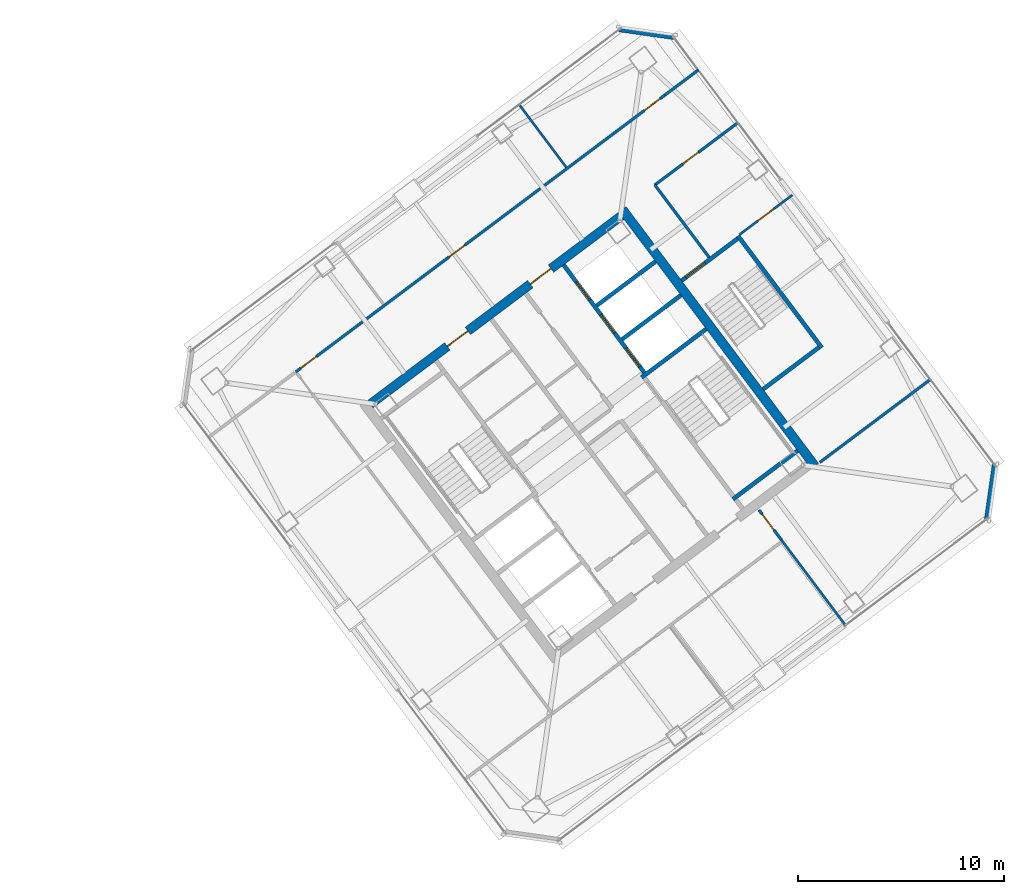
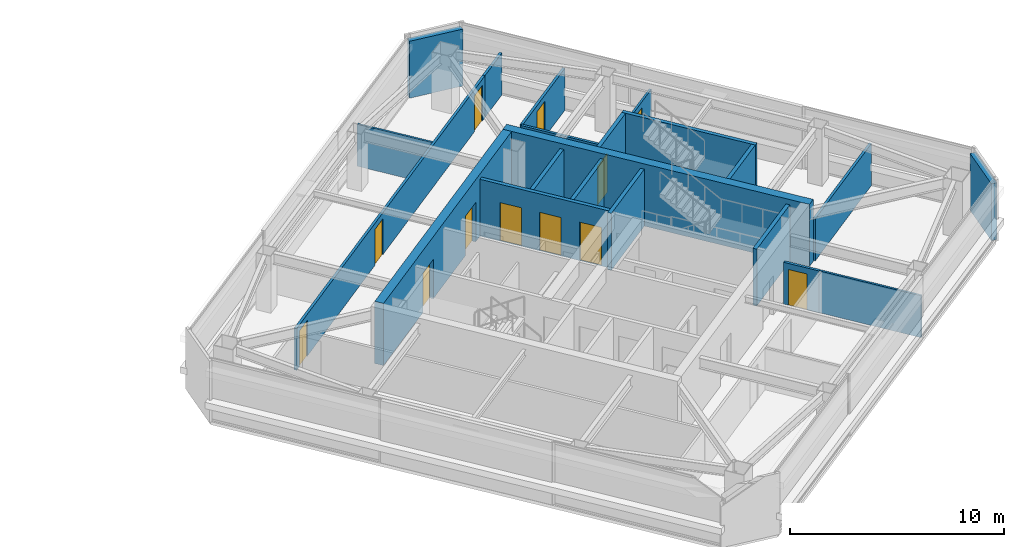
# One storey, part 32 of 39: 21 walls, 12 doors, 12 openings.
"""IFC4 building model written with IfcOpenShell, lengths in metres."""

from ifc_helpers import new_model, si_unit, direction, frame, frame_2d, origin, place, context, subcontext, project, spatial, rectangle, extrude, material, layer, layer_set, type_object, element, fill, save


model = new_model("IFC4")

# Units and contexts
model_context = context("Model", 3, precision=1e-05, world=origin(), true_north=direction((0.0, 1.0)))
body_context = subcontext(model_context, "Body", "Model", "MODEL_VIEW")
ifc_project = project(units=[si_unit("LENGTHUNIT", "METRE"), si_unit("AREAUNIT", "SQUARE_METRE"), si_unit("VOLUMEUNIT", "CUBIC_METRE"), si_unit("PLANEANGLEUNIT", "RADIAN"), si_unit("MASSUNIT", "GRAM", prefix="KILO")], contexts=[model_context])

# Site, building, storey
site_placement = place(None, origin())
site = spatial("IfcSite", under=ifc_project, at=site_placement, CompositionType="ELEMENT")
building_placement = place(site_placement, origin())
building = spatial("IfcBuilding", under=site, at=building_placement, Name="Tashvorn Skyway Center", CompositionType="ELEMENT")
storey_placement = place(building_placement, frame((0.0, 0.0, 243.25)))
storey = spatial("IfcBuildingStorey", under=building, at=storey_placement, Name="L66", CompositionType="ELEMENT", Elevation=243.25)

# Wall
ifc_material_1 = material(Name="Concrete C50/60", Category="concrete")
ifc_layer_1 = layer(ifc_material_1, 0.449951171875)
ifc_layer_set_1 = layer_set([ifc_layer_1], Name="Concrete C50/60")
wall_type_1 = type_object("IfcWallType", Name="WALL-CORE-450", PredefinedType="SHEAR", material=ifc_layer_set_1)
wall_1_placement = place(storey_placement, frame((115.60400390625, 42.952880859375, 0.0), z_axis=(0.0, 0.0, 1.0), x_axis=(0.600005007985, -0.799996243986, 0.0)))
element("IfcWall", 1, at=wall_1_placement, inside=storey, type_object=wall_type_1, Name="Tower 2 L66 East Core Shear Wall", PredefinedType="SHEAR", context=body_context, shape_type="SweptSolid", body=[
    extrude(rectangle(XDim=15.60009765625, YDim=0.449951171875, at=frame_2d((7.800048828125, 0.0))), origin(), (0.0, 0.0, 1.0), 3.550048828125),
])

# Wall, openings, doors
wall_2_placement = place(storey_placement, frame((103.35107421875, 33.48193359375, 0.0), z_axis=(0.0, 0.0, 1.0), x_axis=(0.8, 0.6, 0.0)))
wall_2 = element("IfcWall", 2, at=wall_2_placement, inside=storey, type_object=wall_type_1, Name="Tower 2 L66 North Core Shear Wall", PredefinedType="SHEAR", context=body_context, shape_type="SweptSolid", body=[
    extrude(rectangle(XDim=15.260009765625, YDim=0.449951171875, at=frame_2d((7.6298828125, 0.0))), origin(), (0.0, 0.0, 1.0), 3.550048828125),
])
opening_1_placement = place(wall_2_placement, frame((4.679931640625, 0.0, 0.0)))
opening_1 = element("IfcOpeningElement", 3, at=opening_1_placement, cuts=wall_2, Name="Opening D-FFL-1250", PredefinedType="OPENING", context=body_context, shape_type="SweptSolid", body=[
    extrude(rectangle(XDim=1.25, YDim=2.25, at=frame_2d((0.625, 1.125))), frame((0.0, 0.23486328125, 0.0), z_axis=(0.0, -1.0, 0.0), x_axis=(1.0, 0.0, 0.0)), (0.0, 0.0, 1.0), 0.469970703125),
])
opening_2_placement = place(wall_2_placement, frame((9.72998046875, 0.0, 0.0)))
opening_2 = element("IfcOpeningElement", 4, at=opening_2_placement, cuts=wall_2, Name="Opening D-FFL-1250", PredefinedType="OPENING", context=body_context, shape_type="SweptSolid", body=[
    extrude(rectangle(XDim=1.25, YDim=2.25, at=frame_2d((0.625, 1.125))), frame((0.0, 0.23486328125, 0.0), z_axis=(0.0, -1.0, 0.0), x_axis=(1.0, 0.0, 0.0)), (0.0, 0.0, 1.0), 0.469970703125),
])
ifc_material_2 = material(Name="Hollow galvanized steel fire door assembly", Category="steel")
door_type_1 = type_object("IfcDoorType", Name="DOOR-FFL-1250", OperationType="NOTDEFINED", PredefinedType="DOOR", material=ifc_material_2)
door_1_placement = place(opening_1_placement, origin())
door_1 = element("IfcDoor", 5, at=door_1_placement, inside=storey, type_object=door_type_1, Name="Tower 2 L66 Core North Service Lobby Door", OperationType="SINGLE_SWING_LEFT", OverallHeight=2.25, OverallWidth=1.25, PredefinedType="DOOR", context=body_context, shape_type="SweptSolid", body=[
    extrude(rectangle(XDim=1.25, YDim=2.25, at=frame_2d((0.625, 1.125))), frame((0.0, 0.02490234375, 0.0), z_axis=(0.0, -1.0, 0.0), x_axis=(1.0, 0.0, 0.0)), (0.0, 0.0, 1.0), 0.050048828125),
])
fill(opening_1, door_1)
door_2_placement = place(opening_2_placement, origin())
door_2 = element("IfcDoor", 6, at=door_2_placement, inside=storey, type_object=door_type_1, Name="Tower 2 L66 Core North Lift Lobby Door", OperationType="SINGLE_SWING_RIGHT", OverallHeight=2.25, OverallWidth=1.25, PredefinedType="DOOR", context=body_context, shape_type="SweptSolid", body=[
    extrude(rectangle(XDim=1.25, YDim=2.25, at=frame_2d((0.625, 1.125))), frame((0.0, 0.02490234375, 0.0), z_axis=(0.0, -1.0, 0.0), x_axis=(1.0, 0.0, 0.0)), (0.0, 0.0, 1.0), 0.050048828125),
])
fill(opening_2, door_2)

# Walls
ifc_material_3 = material(Name="Precast concrete C40/50", Category="concrete")
ifc_layer_2 = layer(ifc_material_3, 0.280029296875)
ifc_layer_set_2 = layer_set([ifc_layer_2], Name="Precast concrete C40/50")
wall_type_2 = type_object("IfcWallType", Name="WALL-EXT-280", PredefinedType="SOLIDWALL", material=ifc_layer_set_2)
for number, where, z_axis, x_axis, name in (
    (7, (115.4599609375, 51.719970703125, 0.0), (0.0, 0.0, 1.0), (0.989956760759, -0.141370477216, 0.0), "Tower 2 L66 NE Precast Chamfer Wall"),
    (8, (133.719970703125, 30.5400390625, 0.0), (0.0, 0.0, 1.0), (-0.141370477216, -0.989956760759, 0.0), "Tower 2 L66 SE Precast Chamfer Wall"),
):
    element("IfcWall", number, at=place(storey_placement, frame(where, z_axis=z_axis, x_axis=x_axis)), inside=storey, type_object=wall_type_2, Name=name, PredefinedType="SOLIDWALL", context=body_context, shape_type="SweptSolid", body=[
        extrude(rectangle(XDim=2.687255859375, YDim=0.280029296875, at=frame_2d((1.34375, 0.0))), origin(), (0.0, 0.0, 1.0), 3.25),
    ])
ifc_material_4 = material(Name="Gypsum board on cold-formed steel stud framing", Category="steel")
ifc_layer_3 = layer(ifc_material_4, 0.110107421875)
ifc_layer_set_3 = layer_set([ifc_layer_3], Name="Gypsum board on cold-formed steel stud framing")
wall_type_3 = type_object("IfcWallType", Name="WALL-PART-110", PredefinedType="PARTITIONING", material=ifc_layer_set_3)
wall_3_placement = place(storey_placement, frame((112.8720703125, 45.00390625, 0.0), z_axis=(0.0, 0.0, 1.0), x_axis=(-0.6, 0.8, 0.0)))
element("IfcWall", 9, at=wall_3_placement, inside=storey, type_object=wall_type_3, Name="Tower 2 L66 North Suite Partition 2", PredefinedType="PARTITIONING", context=body_context, shape_type="SweptSolid", body=[
    extrude(rectangle(XDim=3.800048828125, YDim=0.110107421875, at=frame_2d((1.89990234375, 0.0))), origin(), (0.0, 0.0, 1.0), 2.39306640625),
])
wall_4_placement = place(storey_placement, frame((126.447998046875, 22.736083984375, 0.0), z_axis=(0.0, 0.0, 1.0), x_axis=(-0.600015053192, 0.799988709885, 0.0)))
element("IfcWall", 10, at=wall_4_placement, inside=storey, type_object=wall_type_3, Name="Tower 2 L66 South-East Suite Wall", PredefinedType="PARTITIONING", context=body_context, shape_type="SweptSolid", body=[
    extrude(rectangle(XDim=5.18994140625, YDim=0.110107421875, at=frame_2d((2.594970703125, 0.0))), origin(), (0.0, 0.0, 1.0), 2.39306640625),
])

# Wall, opening, door
wall_5_placement = place(storey_placement, frame((123.864013671875, 43.64794921875, 0.0), z_axis=(0.0, 0.0, 1.0), x_axis=(-0.800018310174, -0.599975585658, 0.0)))
wall_5 = element("IfcWall", 11, at=wall_5_placement, inside=storey, type_object=wall_type_3, Name="Tower 2 L66 East Suite Partition 1", PredefinedType="PARTITIONING", context=body_context, shape_type="SweptSolid", body=[
    extrude(rectangle(XDim=3.199951171875, YDim=0.110107421875, at=frame_2d((1.60009765625, 0.0))), origin(), (0.0, 0.0, 1.0), 2.39306640625),
])
opening_3_placement = place(wall_5_placement, frame((1.125, 0.0, 0.0)))
opening_3 = element("IfcOpeningElement", 12, at=opening_3_placement, cuts=wall_5, Name="Opening D-INT-950", PredefinedType="OPENING", context=body_context, shape_type="SweptSolid", body=[
    extrude(rectangle(XDim=0.949951171875, YDim=2.050048828125, at=frame_2d((0.47509765625, 1.02490234375))), frame((0.0, 0.06494140625, 0.0), z_axis=(0.0, -1.0, 0.0), x_axis=(1.0, 0.0, 0.0)), (0.0, 0.0, 1.0), 0.130126953125),
])
ifc_material_5 = material(Name="Solid-core architectural oak veneer door")
door_type_2 = type_object("IfcDoorType", Name="DOOR-INT-950", OperationType="NOTDEFINED", PredefinedType="DOOR", material=ifc_material_5)
door_3_placement = place(opening_3_placement, origin())
door_3 = element("IfcDoor", 13, at=door_3_placement, inside=storey, type_object=door_type_2, Name="Tower 2 L66 Boardroom Door", OperationType="SINGLE_SWING_LEFT", OverallHeight=2.050048828125, OverallWidth=0.949951171875, PredefinedType="DOOR", context=body_context, shape_type="SweptSolid", body=[
    extrude(rectangle(XDim=0.949951171875, YDim=2.050048828125, at=frame_2d((0.47509765625, 1.02490234375))), frame((0.0, 0.02490234375, 0.0), z_axis=(0.0, -1.0, 0.0), x_axis=(1.0, 0.0, 0.0)), (0.0, 0.0, 1.0), 0.050048828125),
])
fill(opening_3, door_3)

# Wall
ifc_layer_4 = layer(ifc_material_4, 0.135009765625)
ifc_layer_set_4 = layer_set([ifc_layer_4], Name="Gypsum board on cold-formed steel stud framing")
wall_type_4 = type_object("IfcWallType", Name="WALL-PART-135", PredefinedType="PARTITIONING", material=ifc_layer_set_4)
wall_6_placement = place(storey_placement, frame((119.823974609375, 40.617919921875, 0.0), z_axis=(0.0, 0.0, 1.0), x_axis=(-0.599982243973, 0.800013316712, 0.0)))
element("IfcWall", 14, at=wall_6_placement, inside=storey, type_object=wall_type_4, Name="Tower 2 L66 Stair 3 Access Corridor Wall", PredefinedType="PARTITIONING", context=body_context, shape_type="SweptSolid", body=[
    extrude(rectangle(XDim=4.39990234375, YDim=0.135009765625, at=frame_2d((2.199951171875, 0.0))), origin(), (0.0, 0.0, 1.0), 2.39306640625),
])

# Wall, openings, doors
wall_7_placement = place(storey_placement, frame((99.736083984375, 35.052001953125, 0.0), z_axis=(0.0, 0.0, 1.0), x_axis=(0.799997387685, 0.600003483071, 0.0)))
wall_7 = element("IfcWall", 15, at=wall_7_placement, inside=storey, type_object=wall_type_4, Name="Tower 2 L66 North Suite Wall", PredefinedType="PARTITIONING", context=body_context, shape_type="SweptSolid", body=[
    extrude(rectangle(XDim=22.429931640625, YDim=0.135009765625, at=frame_2d((11.21484375, 0.0))), origin(), (0.0, 0.0, 1.0), 2.39306640625),
])
opening_4_placement = place(wall_7_placement, frame((0.300048828125, 0.0, 0.0)))
opening_4 = element("IfcOpeningElement", 16, at=opening_4_placement, cuts=wall_7, Name="Opening D-INT-950", PredefinedType="OPENING", context=body_context, shape_type="SweptSolid", body=[
    extrude(rectangle(XDim=0.949951171875, YDim=2.050048828125, at=frame_2d((0.47509765625, 1.02490234375))), frame((0.0, 0.077392578125, 0.0), z_axis=(0.0, -1.0, 0.0), x_axis=(1.0, 0.0, 0.0)), (0.0, 0.0, 1.0), 0.155029296875),
])
opening_5_placement = place(wall_7_placement, frame((9.31298828125, 0.0, 0.0)))
opening_5 = element("IfcOpeningElement", 17, at=opening_5_placement, cuts=wall_7, Name="Opening D-INT-950", PredefinedType="OPENING", context=body_context, shape_type="SweptSolid", body=[
    extrude(rectangle(XDim=0.949951171875, YDim=2.050048828125, at=frame_2d((0.47509765625, 1.02490234375))), frame((0.0, 0.077392578125, 0.0), z_axis=(0.0, -1.0, 0.0), x_axis=(1.0, 0.0, 0.0)), (0.0, 0.0, 1.0), 0.155029296875),
])
opening_6_placement = place(wall_7_placement, frame((21.179931640625, 0.0, 0.0)))
opening_6 = element("IfcOpeningElement", 18, at=opening_6_placement, cuts=wall_7, Name="Opening D-INT-950", PredefinedType="OPENING", context=body_context, shape_type="SweptSolid", body=[
    extrude(rectangle(XDim=0.949951171875, YDim=2.050048828125, at=frame_2d((0.47509765625, 1.02490234375))), frame((0.0, 0.077392578125, 0.0), z_axis=(0.0, -1.0, 0.0), x_axis=(1.0, 0.0, 0.0)), (0.0, 0.0, 1.0), 0.155029296875),
])
door_4_placement = place(opening_4_placement, origin())
door_4 = element("IfcDoor", 19, at=door_4_placement, inside=storey, type_object=door_type_2, Name="Tower 2 L66 Operations Control Room Door", OperationType="SINGLE_SWING_RIGHT", OverallHeight=2.050048828125, OverallWidth=0.949951171875, PredefinedType="DOOR", context=body_context, shape_type="SweptSolid", body=[
    extrude(rectangle(XDim=0.949951171875, YDim=2.050048828125, at=frame_2d((0.47509765625, 1.02490234375))), frame((0.0, 0.02490234375, 0.0), z_axis=(0.0, -1.0, 0.0), x_axis=(1.0, 0.0, 0.0)), (0.0, 0.0, 1.0), 0.050048828125),
])
fill(opening_4, door_4)
door_5_placement = place(opening_5_placement, origin())
door_5 = element("IfcDoor", 20, at=door_5_placement, inside=storey, type_object=door_type_2, Name="Tower 2 L66 Operations Control Room Door", OperationType="SINGLE_SWING_LEFT", OverallHeight=2.050048828125, OverallWidth=0.949951171875, PredefinedType="DOOR", context=body_context, shape_type="SweptSolid", body=[
    extrude(rectangle(XDim=0.949951171875, YDim=2.050048828125, at=frame_2d((0.47509765625, 1.02490234375))), frame((0.0, 0.02490234375, 0.0), z_axis=(0.0, -1.0, 0.0), x_axis=(1.0, 0.0, 0.0)), (0.0, 0.0, 1.0), 0.050048828125),
])
fill(opening_5, door_5)
door_6_placement = place(opening_6_placement, origin())
door_6 = element("IfcDoor", 21, at=door_6_placement, inside=storey, type_object=door_type_2, Name="Tower 2 L66 Security Control Room Door", OperationType="SINGLE_SWING_RIGHT", OverallHeight=2.050048828125, OverallWidth=0.949951171875, PredefinedType="DOOR", context=body_context, shape_type="SweptSolid", body=[
    extrude(rectangle(XDim=0.949951171875, YDim=2.050048828125, at=frame_2d((0.47509765625, 1.02490234375))), frame((0.0, 0.02490234375, 0.0), z_axis=(0.0, -1.0, 0.0), x_axis=(1.0, 0.0, 0.0)), (0.0, 0.0, 1.0), 0.050048828125),
])
fill(opening_6, door_6)

# Wall
wall_8_placement = place(storey_placement, frame((117.679931640625, 48.510009765625, 0.0), z_axis=(0.0, 0.0, 1.0), x_axis=(0.8, 0.6, 0.0)))
element("IfcWall", 22, at=wall_8_placement, inside=storey, type_object=wall_type_4, Name="Tower 2 L66 North-East Suite South Wall", PredefinedType="PARTITIONING", context=body_context, shape_type="SweptSolid", body=[
    extrude(rectangle(XDim=2.030029296875, YDim=0.135009765625, at=frame_2d((1.01513671875, 0.0))), origin(), (0.0, 0.0, 1.0), 2.39306640625),
])

# Wall, opening, door
wall_9_placement = place(storey_placement, frame((122.248046875, 28.3359375, 0.0), z_axis=(0.0, 0.0, 1.0), x_axis=(0.599978417824, -0.800016186177, 0.0)))
wall_9 = element("IfcWall", 23, at=wall_9_placement, inside=storey, type_object=wall_type_4, Name="Tower 2 L66 South Gallery End Wall", PredefinedType="PARTITIONING", context=body_context, shape_type="SweptSolid", body=[
    extrude(rectangle(XDim=1.81005859375, YDim=0.135009765625, at=frame_2d((0.905029296875, 0.0))), origin(), (0.0, 0.0, 1.0), 2.39306640625),
])
opening_7_placement = place(wall_9_placement, frame((0.25, 0.0, 0.0)))
opening_7 = element("IfcOpeningElement", 24, at=opening_7_placement, cuts=wall_9, Name="Opening D-INT-950", PredefinedType="OPENING", context=body_context, shape_type="SweptSolid", body=[
    extrude(rectangle(XDim=0.949951171875, YDim=2.050048828125, at=frame_2d((0.47509765625, 1.02490234375))), frame((0.0, 0.077392578125, 0.0), z_axis=(0.0, -1.0, 0.0), x_axis=(1.0, 0.0, 0.0)), (0.0, 0.0, 1.0), 0.155029296875),
])
door_7_placement = place(opening_7_placement, origin())
door_7 = element("IfcDoor", 25, at=door_7_placement, inside=storey, type_object=door_type_2, Name="Tower 2 L66 Wellness Clinic Door", OperationType="SINGLE_SWING_LEFT", OverallHeight=2.050048828125, OverallWidth=0.949951171875, PredefinedType="DOOR", context=body_context, shape_type="SweptSolid", body=[
    extrude(rectangle(XDim=0.949951171875, YDim=2.050048828125, at=frame_2d((0.47509765625, 1.02490234375))), frame((0.0, 0.02490234375, 0.0), z_axis=(0.0, -1.0, 0.0), x_axis=(1.0, 0.0, 0.0)), (0.0, 0.0, 1.0), 0.050048828125),
])
fill(opening_7, door_7)

wall_10_placement = place(storey_placement, frame((121.22412109375, 47.16796875, 0.0), z_axis=(0.0, 0.0, 1.0), x_axis=(-0.8, -0.6, 0.0)))
wall_10 = element("IfcWall", 26, at=wall_10_placement, inside=storey, type_object=wall_type_4, Name="Tower 2 L66 East Suite North Wall", PredefinedType="PARTITIONING", context=body_context, shape_type="SweptSolid", body=[
    extrude(rectangle(XDim=5.050048828125, YDim=0.135009765625, at=frame_2d((2.52490234375, 0.0))), origin(), (0.0, 0.0, 1.0), 2.39306640625),
])
opening_8_placement = place(wall_10_placement, frame((2.39990234375, 0.0, 0.0)))
opening_8 = element("IfcOpeningElement", 27, at=opening_8_placement, cuts=wall_10, Name="Opening D-INT-950", PredefinedType="OPENING", context=body_context, shape_type="SweptSolid", body=[
    extrude(rectangle(XDim=0.949951171875, YDim=2.050048828125, at=frame_2d((0.47509765625, 1.02490234375))), frame((0.0, 0.077392578125, 0.0), z_axis=(0.0, -1.0, 0.0), x_axis=(1.0, 0.0, 0.0)), (0.0, 0.0, 1.0), 0.155029296875),
])
door_8_placement = place(opening_8_placement, origin())
door_8 = element("IfcDoor", 28, at=door_8_placement, inside=storey, type_object=door_type_2, Name="Tower 2 L66 Wellness Clinic Door", OperationType="SINGLE_SWING_RIGHT", OverallHeight=2.050048828125, OverallWidth=0.949951171875, PredefinedType="DOOR", context=body_context, shape_type="SweptSolid", body=[
    extrude(rectangle(XDim=0.949951171875, YDim=2.050048828125, at=frame_2d((0.47509765625, 1.02490234375))), frame((0.0, 0.02490234375, 0.0), z_axis=(0.0, -1.0, 0.0), x_axis=(1.0, 0.0, 0.0)), (0.0, 0.0, 1.0), 0.050048828125),
])
fill(opening_8, door_8)

# Walls
wall_11_placement = place(storey_placement, frame((125.2080078125, 30.656005859375, 0.0), z_axis=(0.0, 0.0, 1.0), x_axis=(0.8, 0.6, 0.0)))
element("IfcWall", 29, at=wall_11_placement, inside=storey, type_object=wall_type_4, Name="Tower 2 L66 East Suite South Wall", PredefinedType="PARTITIONING", context=body_context, shape_type="SweptSolid", body=[
    extrude(rectangle(XDim=6.719970703125, YDim=0.135009765625, at=frame_2d((3.35986328125, 0.0))), origin(), (0.0, 0.0, 1.0), 2.39306640625),
])
ifc_material_6 = material(Name="Concrete C40/50", Category="concrete")
ifc_layer_5 = layer(ifc_material_6, 0.199951171875)
ifc_layer_set_5 = layer_set([ifc_layer_5], Name="Concrete C40/50")
wall_type_5 = type_object("IfcWallType", Name="WALL-SHAFT-200", PredefinedType="SOLIDWALL", material=ifc_layer_set_5)
for number, where, z_axis, x_axis, name in (
    (30, (115.590087890625, 36.6298828125, 0.0), (0.0, 0.0, 1.0), (0.799975449747, 0.600032732276, 0.0), "Tower 2 L66 High-Rise Shaft Divider"),
    (31, (114.360107421875, 38.27001953125, 0.0), (0.0, 0.0, 1.0), (0.800008183455, 0.599989088572, 0.0), "Tower 2 L66 High-Rise Shaft Divider"),
):
    element("IfcWall", number, at=place(storey_placement, frame(where, z_axis=z_axis, x_axis=x_axis)), inside=storey, type_object=wall_type_5, Name=name, PredefinedType="SOLIDWALL", context=body_context, shape_type="SweptSolid", body=[
        extrude(rectangle(XDim=3.580078125, YDim=0.199951171875, at=frame_2d((1.7900390625, 0.0))), origin(), (0.0, 0.0, 1.0), 3.25),
    ])
ifc_layer_6 = layer(ifc_material_6, 0.199951171875)
ifc_layer_set_6 = layer_set([ifc_layer_6], Name="Concrete C40/50")
wall_type_6 = type_object("IfcWallType", Name="WALL-STSHF-200", PredefinedType="SHEAR", material=ifc_layer_set_6)
for number, where, z_axis, x_axis, name in (
    (32, (116.5400390625, 34.780029296875, 0.0), (0.0, 0.0, 1.0), (0.800014909178, 0.599980120581, 0.0), "Tower 2 L66 Stair 2 North Wall"),
    (33, (120.97998046875, 28.860107421875, 0.0), (0.0, 0.0, 1.0), (0.800014909178, 0.599980120581, 0.0), "Tower 2 L66 Stair 2 South Wall"),
):
    element("IfcWall", number, at=place(storey_placement, frame(where, z_axis=z_axis, x_axis=x_axis)), inside=storey, type_object=wall_type_6, Name=name, PredefinedType="SHEAR", context=body_context, shape_type="SweptSolid", body=[
        extrude(rectangle(XDim=3.929931640625, YDim=0.199951171875, at=frame_2d((1.96484375, 0.0))), origin(), (0.0, 0.0, 1.0), 3.25),
    ])

# Wall, openings, doors
wall_12_placement = place(storey_placement, frame((112.75, 40.25, 0.0), z_axis=(0.0, 0.0, 1.0), x_axis=(0.599994036198, -0.800004472816, 0.0)))
wall_12 = element("IfcWall", 34, at=wall_12_placement, inside=storey, type_object=wall_type_6, Name="Tower 2 L66 High-Rise Lift Shaft Front Wall", PredefinedType="SHEAR", context=body_context, shape_type="SweptSolid", body=[
    extrude(rectangle(XDim=6.550048828125, YDim=0.199951171875, at=frame_2d((3.27490234375, 0.0))), origin(), (0.0, 0.0, 1.0), 3.25),
])
opening_9_placement = place(wall_12_placement, frame((5.074951171875, 0.0, 0.0)))
opening_9 = element("IfcOpeningElement", 35, at=opening_9_placement, cuts=wall_12, Name="Opening LD-HR-T2-1-L66", PredefinedType="OPENING", context=body_context, shape_type="SweptSolid", body=[
    extrude(rectangle(XDim=1.10009765625, YDim=2.199951171875, at=frame_2d((0.550048828125, 1.10009765625))), frame((0.0, 0.10986328125, 0.0), z_axis=(0.0, -1.0, 0.0), x_axis=(1.0, 0.0, 0.0)), (0.0, 0.0, 1.0), 0.219970703125),
])
opening_10_placement = place(wall_12_placement, frame((3.02490234375, 0.0, 0.0)))
opening_10 = element("IfcOpeningElement", 36, at=opening_10_placement, cuts=wall_12, Name="Opening LD-HR-T2-2-L66", PredefinedType="OPENING", context=body_context, shape_type="SweptSolid", body=[
    extrude(rectangle(XDim=1.10009765625, YDim=2.199951171875, at=frame_2d((0.550048828125, 1.10009765625))), frame((0.0, 0.10986328125, 0.0), z_axis=(0.0, -1.0, 0.0), x_axis=(1.0, 0.0, 0.0)), (0.0, 0.0, 1.0), 0.219970703125),
])
opening_11_placement = place(wall_12_placement, frame((1.02490234375, 0.0, 0.0)))
opening_11 = element("IfcOpeningElement", 37, at=opening_11_placement, cuts=wall_12, Name="Opening LD-HR-T2-3-L66", PredefinedType="OPENING", context=body_context, shape_type="SweptSolid", body=[
    extrude(rectangle(XDim=1.10009765625, YDim=2.199951171875, at=frame_2d((0.550048828125, 1.10009765625))), frame((0.0, 0.10986328125, 0.0), z_axis=(0.0, -1.0, 0.0), x_axis=(1.0, 0.0, 0.0)), (0.0, 0.0, 1.0), 0.219970703125),
])
ifc_material_7 = material(Name="Stainless steel landing door", Category="steel")
door_type_3 = type_object("IfcDoorType", Name="DOOR-LIFT-1100", OperationType="SLIDING_TO_LEFT", PredefinedType="DOOR", material=ifc_material_7)
door_9_placement = place(opening_9_placement, origin())
door_9 = element("IfcDoor", 38, at=door_9_placement, inside=storey, type_object=door_type_3, Name="Lift HR-T2-1 L66 Landing Door", OperationType="SLIDING_TO_LEFT", OverallHeight=2.199951171875, OverallWidth=1.10009765625, PredefinedType="DOOR", context=body_context, shape_type="SweptSolid", body=[
    extrude(rectangle(XDim=1.10009765625, YDim=2.199951171875, at=frame_2d((0.550048828125, 1.10009765625))), frame((0.0, 0.02490234375, 0.0), z_axis=(0.0, -1.0, 0.0), x_axis=(1.0, 0.0, 0.0)), (0.0, 0.0, 1.0), 0.050048828125),
])
fill(opening_9, door_9)
door_10_placement = place(opening_10_placement, origin())
door_10 = element("IfcDoor", 39, at=door_10_placement, inside=storey, type_object=door_type_3, Name="Lift HR-T2-2 L66 Landing Door", OperationType="SLIDING_TO_LEFT", OverallHeight=2.199951171875, OverallWidth=1.10009765625, PredefinedType="DOOR", context=body_context, shape_type="SweptSolid", body=[
    extrude(rectangle(XDim=1.10009765625, YDim=2.199951171875, at=frame_2d((0.550048828125, 1.10009765625))), frame((0.0, 0.02490234375, 0.0), z_axis=(0.0, -1.0, 0.0), x_axis=(1.0, 0.0, 0.0)), (0.0, 0.0, 1.0), 0.050048828125),
])
fill(opening_10, door_10)
door_11_placement = place(opening_11_placement, origin())
door_11 = element("IfcDoor", 40, at=door_11_placement, inside=storey, type_object=door_type_3, Name="Lift HR-T2-3 L66 Landing Door", OperationType="SLIDING_TO_LEFT", OverallHeight=2.199951171875, OverallWidth=1.10009765625, PredefinedType="DOOR", context=body_context, shape_type="SweptSolid", body=[
    extrude(rectangle(XDim=1.10009765625, YDim=2.199951171875, at=frame_2d((0.550048828125, 1.10009765625))), frame((0.0, 0.02490234375, 0.0), z_axis=(0.0, -1.0, 0.0), x_axis=(1.0, 0.0, 0.0)), (0.0, 0.0, 1.0), 0.050048828125),
])
fill(opening_11, door_11)

# Wall
wall_13_placement = place(storey_placement, frame((125.303955078125, 36.22802734375, 0.0), z_axis=(0.0, 0.0, 1.0), x_axis=(-0.59998851072, 0.800008616831, 0.0)))
element("IfcWall", 41, at=wall_13_placement, inside=storey, type_object=wall_type_6, Name="Tower 2 L66 Stair 3 Outer Wall", PredefinedType="SHEAR", context=body_context, shape_type="SweptSolid", body=[
    extrude(rectangle(XDim=6.7998046875, YDim=0.199951171875, at=frame_2d((3.39990234375, 0.0))), origin(), (0.0, 0.0, 1.0), 3.25),
])

# Wall, opening, door
wall_14_placement = place(storey_placement, frame((121.2041015625, 41.528076171875, 0.0), z_axis=(0.0, 0.0, 1.0), x_axis=(-0.800017232136, -0.599977023131, 0.0)))
wall_14 = element("IfcWall", 42, at=wall_14_placement, inside=storey, type_object=wall_type_6, Name="Tower 2 L66 Stair 3 Enclosure Wall", PredefinedType="SHEAR", context=body_context, shape_type="SweptSolid", body=[
    extrude(rectangle(XDim=3.400146484375, YDim=0.199951171875, at=frame_2d((1.7001953125, 0.0))), origin(), (0.0, 0.0, 1.0), 3.25),
])
opening_12_placement = place(wall_14_placement, frame((1.97509765625, 0.0, 0.0)))
opening_12 = element("IfcOpeningElement", 43, at=opening_12_placement, cuts=wall_14, Name="Opening D-ST-1150", PredefinedType="OPENING", context=body_context, shape_type="SweptSolid", body=[
    extrude(rectangle(XDim=1.14990234375, YDim=2.199951171875, at=frame_2d((0.574951171875, 1.10009765625))), frame((0.0, 0.10986328125, 0.0), z_axis=(0.0, -1.0, 0.0), x_axis=(1.0, 0.0, 0.0)), (0.0, 0.0, 1.0), 0.219970703125),
])
door_type_4 = type_object("IfcDoorType", Name="DOOR-STAIR-1150", OperationType="NOTDEFINED", PredefinedType="DOOR", material=ifc_material_2)
door_12_placement = place(opening_12_placement, origin())
door_12 = element("IfcDoor", 44, at=door_12_placement, inside=storey, type_object=door_type_4, Name="Tower 2 L66 Exit Stair 3 Door", OperationType="SINGLE_SWING_RIGHT", OverallHeight=2.199951171875, OverallWidth=1.14990234375, PredefinedType="DOOR", context=body_context, shape_type="SweptSolid", body=[
    extrude(rectangle(XDim=1.14990234375, YDim=2.199951171875, at=frame_2d((0.574951171875, 1.10009765625))), frame((0.0, 0.02490234375, 0.0), z_axis=(0.0, -1.0, 0.0), x_axis=(1.0, 0.0, 0.0)), (0.0, 0.0, 1.0), 0.050048828125),
])
fill(opening_12, door_12)

# Wall
wall_15_placement = place(storey_placement, frame((122.444091796875, 34.2080078125, 0.0), z_axis=(0.0, 0.0, 1.0), x_axis=(0.79999138319, 0.600011488909, 0.0)))
element("IfcWall", 45, at=wall_15_placement, inside=storey, type_object=wall_type_6, Name="Tower 2 L66 Stair 3 South Wall", PredefinedType="SHEAR", context=body_context, shape_type="SweptSolid", body=[
    extrude(rectangle(XDim=3.39990234375, YDim=0.199951171875, at=frame_2d((1.699951171875, 0.0))), origin(), (0.0, 0.0, 1.0), 3.25),
])

save(model, "model.ifc")
